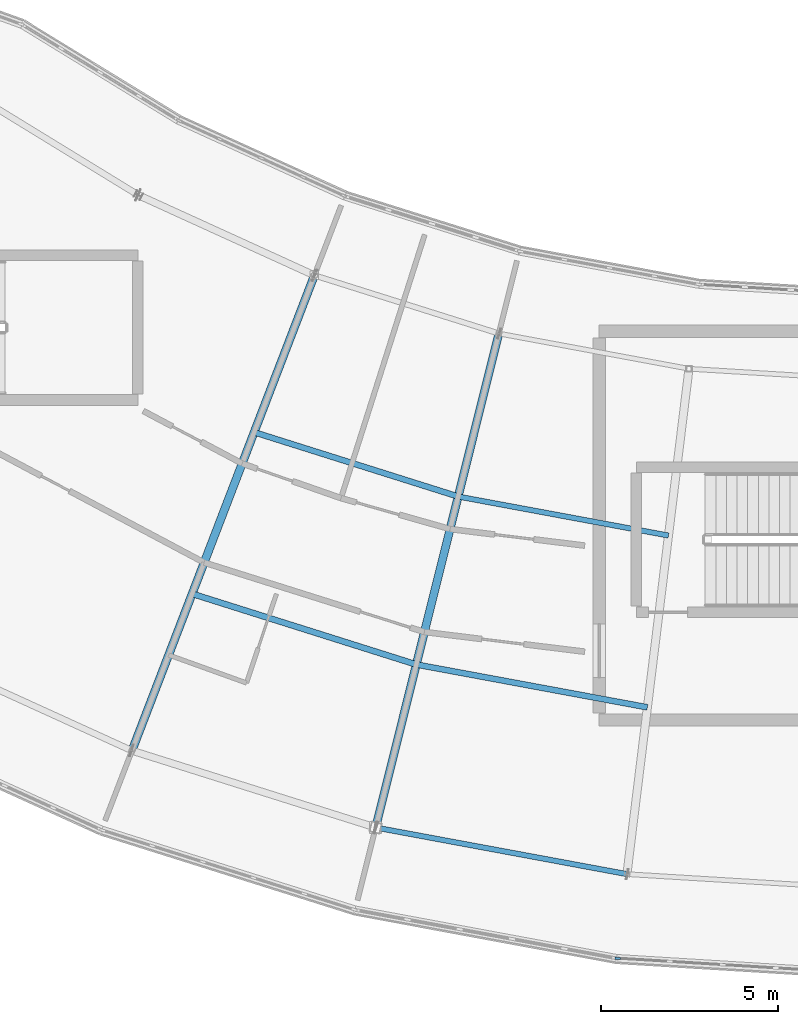
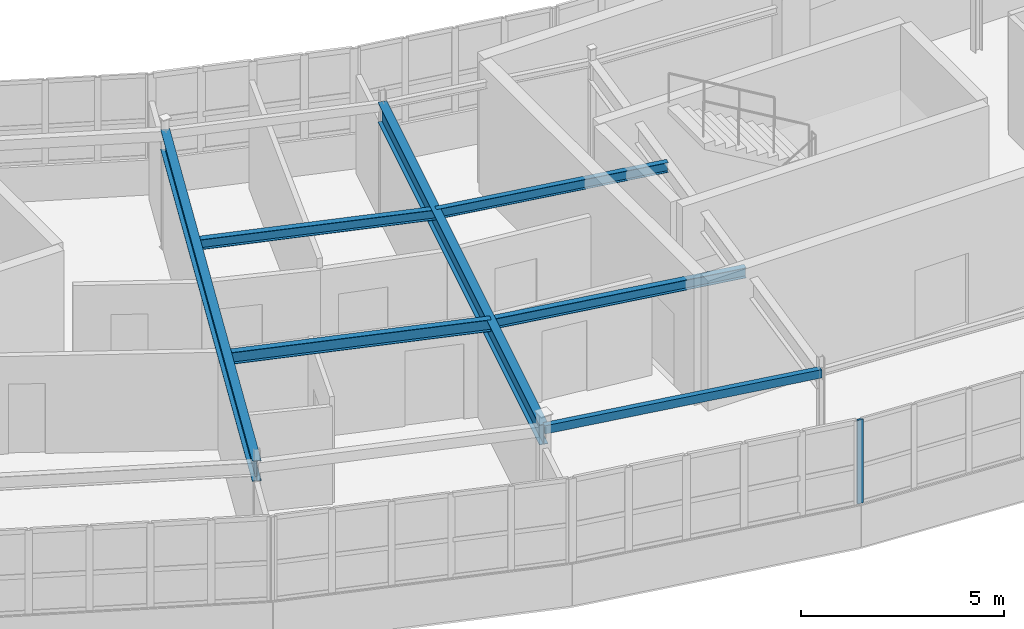
# One storey, part 15 of 65: 7 beams, 1 member, 1 element without a shape of its own.
"""IFC4 building model written with IfcOpenShell, lengths in metres."""

from ifc_helpers import new_model, si_unit, direction, frame, origin, origin_2d, place, context, subcontext, project, spatial, rectangle, hollow_rectangle, i_section, extrude, material, layer, layer_set, material_profile, profile_set, type_object, element, aggregate, save


model = new_model("IFC4")

# Units and contexts
model_context = context("Model", 3, precision=1e-05, world=origin(), true_north=direction((0.0, 1.0)))
body_context = subcontext(model_context, "Body", "Model", "MODEL_VIEW")
ifc_project = project(units=[si_unit("LENGTHUNIT", "METRE"), si_unit("AREAUNIT", "SQUARE_METRE"), si_unit("VOLUMEUNIT", "CUBIC_METRE"), si_unit("PLANEANGLEUNIT", "RADIAN"), si_unit("MASSUNIT", "GRAM", prefix="KILO")], contexts=[model_context])

# Site, building, storey
site_placement = place(None, origin())
site = spatial("IfcSite", under=ifc_project, at=site_placement, CompositionType="ELEMENT")
building_placement = place(site_placement, origin())
building = spatial("IfcBuilding", under=site, at=building_placement, Name="Tarnwether General Hospital", CompositionType="ELEMENT")
storey_placement = place(building_placement, frame((0.0, 0.0, 22.199951171875)))
storey = spatial("IfcBuildingStorey", under=building, at=storey_placement, Name="L05", CompositionType="ELEMENT", Elevation=22.199951171875)

# Beams
ifc_material_1 = material(Name="Steel Grade 350 (350 MPa)", Category="steel")
ifc_material_profile_1 = material_profile(ifc_material_1, i_section(OverallWidth=0.22900390625, OverallDepth=0.612060546875, WebThickness=0.011962890625, FlangeThickness=0.01953125, at=origin_2d()), Name="610UB125")
ifc_profile_set_1 = profile_set([ifc_material_profile_1], Name="Steel Grade 350 (350 MPa)")
beam_type_1 = type_object("IfcBeamType", Name="BM-G03", PredefinedType="BEAM", material=ifc_profile_set_1)
beam_1_placement = place(storey_placement, frame((70.784912109375, 7.73193359375, 3.254150390625), z_axis=(0.358334838026, 0.933593136145, 0.0), x_axis=(-0.933593136145, 0.358334838026, 0.0)))
element("IfcBeam", 1, at=beam_1_placement, inside=storey, type_object=beam_type_1, Name="Curved Ward SE Radial Girder BMG-L05-7078_773-7594_2118-2165", PredefinedType="BEAM", context=body_context, shape_type="SweptSolid", body=[
    extrude(i_section(OverallWidth=0.22900390625, OverallDepth=0.612060546875, WebThickness=0.011962890625, FlangeThickness=0.01953125, at=origin_2d()), origin(), (0.0, 0.0, 1.0), 14.400390625),
])
ifc_material_2 = material(Name="Steel Grade 350 (350 MPa)", Category="steel")
ifc_material_profile_2 = material_profile(ifc_material_2, i_section(OverallWidth=0.22802734375, OverallDepth=0.60693359375, WebThickness=0.01123046875, FlangeThickness=0.017333984375, at=origin_2d()), Name="610UB113")
ifc_profile_set_2 = profile_set([ifc_material_profile_2], Name="Steel Grade 350 (350 MPa)")
beam_type_2 = type_object("IfcBeamType", Name="BM-G04", PredefinedType="BEAM", material=ifc_profile_set_2)
beam_2_placement = place(storey_placement, frame((77.677978515625, 5.55810546875, 3.256591796875), z_axis=(0.241941215118, 0.970290909175, 0.0), x_axis=(-0.970290909175, 0.241941215118, 0.0)))
element("IfcBeam", 2, at=beam_2_placement, inside=storey, type_object=beam_type_2, Name="Curved Ward SE Radial Girder BMG-L05-7768_556-8116_1953-2166", PredefinedType="BEAM", context=body_context, shape_type="SweptSolid", body=[
    extrude(i_section(OverallWidth=0.22802734375, OverallDepth=0.60693359375, WebThickness=0.01123046875, FlangeThickness=0.017333984375, at=origin_2d()), origin(), (0.0, 0.0, 1.0), 14.400634765625),
])
ifc_material_3 = material(Name="Steel Grade 350 (350 MPa)", Category="steel")
ifc_material_profile_3 = material_profile(ifc_material_3, i_section(OverallWidth=0.1708984375, OverallDepth=0.35595703125, WebThickness=0.00732421875, FlangeThickness=0.011474609375, at=origin_2d()), Name="360UB50.7")
ifc_profile_set_3 = profile_set([ifc_material_profile_3], Name="Steel Grade 350 (350 MPa)")
beam_type_3 = type_object("IfcBeamType", Name="BM-J04", PredefinedType="JOIST", material=ifc_profile_set_3)
beam_3_placement = place(storey_placement, frame((72.488037109375, 12.1689453125, 3.382080078125), z_axis=(0.953671429399, -0.300850136693, 0.0), x_axis=(0.300850136693, 0.953671429399, 0.0)))
element("IfcBeam", 3, at=beam_3_placement, inside=storey, type_object=beam_type_3, Name="Curved Ward SE Chord Joist BMG-L05-7249_1217-7883_1017-2176", PredefinedType="JOIST", context=body_context, shape_type="SweptSolid", body=[
    extrude(i_section(OverallWidth=0.1708984375, OverallDepth=0.35595703125, WebThickness=0.00732421875, FlangeThickness=0.011474609375, at=origin_2d()), origin(), (0.0, 0.0, 1.0), 6.64794921875),
])
ifc_material_4 = material(Name="Steel Grade 350 (350 MPa)", Category="steel")
ifc_material_profile_4 = material_profile(ifc_material_4, i_section(OverallWidth=0.166015625, OverallDepth=0.306884765625, WebThickness=0.006591796875, FlangeThickness=0.01171875, at=origin_2d()), Name="310UB46.2")
ifc_profile_set_4 = profile_set([ifc_material_profile_4], Name="Steel Grade 350 (350 MPa)")
beam_type_4 = type_object("IfcBeamType", Name="BM-J05", PredefinedType="JOIST", material=ifc_profile_set_4)
beam_4_placement = place(storey_placement, frame((78.827880859375, 10.1689453125, 3.406494140625), z_axis=(0.983267388773, -0.18216817004, 0.0), x_axis=(0.18216817004, 0.983267388773, 0.0)))
element("IfcBeam", 4, at=beam_4_placement, inside=storey, type_object=beam_type_4, Name="Curved Ward SE Chord Joist BMG-L05-7883_1017-8536_896-2180", PredefinedType="JOIST", context=body_context, shape_type="SweptSolid", body=[
    extrude(i_section(OverallWidth=0.166015625, OverallDepth=0.306884765625, WebThickness=0.006591796875, FlangeThickness=0.01171875, at=origin_2d()), origin(), (0.0, 0.0, 1.0), 6.6474609375),
])
ifc_material_5 = material(Name="Steel Grade 350 (350 MPa)", Category="steel")
ifc_material_profile_5 = material_profile(ifc_material_5, i_section(OverallWidth=0.1650390625, OverallDepth=0.303955078125, WebThickness=0.006103515625, FlangeThickness=0.01025390625, at=origin_2d()), Name="310UB40.4")
ifc_profile_set_5 = profile_set([ifc_material_profile_5], Name="Steel Grade 350 (350 MPa)")
beam_type_5 = type_object("IfcBeamType", Name="BM-J07", PredefinedType="JOIST", material=ifc_profile_set_5)
beam_5_placement = place(storey_placement, frame((74.241943359375, 16.739013671875, 3.407958984375), z_axis=(0.953725879816, -0.300677478654, 0.0), x_axis=(0.300677478654, 0.953725879816, 0.0)))
element("IfcBeam", 5, at=beam_5_placement, inside=storey, type_object=beam_type_5, Name="Curved Ward SE Chord Joist BMG-L05-7424_1674-8001_1492-2177", PredefinedType="JOIST", context=body_context, shape_type="SweptSolid", body=[
    extrude(i_section(OverallWidth=0.1650390625, OverallDepth=0.303955078125, WebThickness=0.006103515625, FlangeThickness=0.01025390625, at=origin_2d()), origin(), (0.0, 0.0, 1.0), 6.050048828125),
])
ifc_material_6 = material(Name="Steel Grade 350 (350 MPa)", Category="steel")
ifc_material_profile_6 = material_profile(ifc_material_6, i_section(OverallWidth=0.14892578125, OverallDepth=0.298095703125, WebThickness=0.005615234375, FlangeThickness=0.008056640625, at=origin_2d()), Name="310UB32.0")
ifc_profile_set_6 = profile_set([ifc_material_profile_6], Name="Steel Grade 350 (350 MPa)")
beam_type_6 = type_object("IfcBeamType", Name="BM-J08", PredefinedType="JOIST", material=ifc_profile_set_6)
beam_6_placement = place(storey_placement, frame((80.011962890625, 14.919921875, 3.4111328125), z_axis=(0.983241575901, -0.182307442029, 0.0), x_axis=(0.182307442029, 0.983241575901, 0.0)))
element("IfcBeam", 6, at=beam_6_placement, inside=storey, type_object=beam_type_6, Name="Curved Ward SE Chord Joist BMG-L05-8001_1492-8596_1382-2181", PredefinedType="JOIST", context=body_context, shape_type="SweptSolid", body=[
    extrude(i_section(OverallWidth=0.14892578125, OverallDepth=0.298095703125, WebThickness=0.005615234375, FlangeThickness=0.008056640625, at=origin_2d()), origin(), (0.0, 0.0, 1.0), 6.05029296875),
])
ifc_material_7 = material(Name="Steel Grade C350L0 (350 MPa)", Category="steel")
ifc_material_profile_7 = material_profile(ifc_material_7, hollow_rectangle(XDim=0.14990234375, YDim=0.25, WallThickness=0.010009765625, at=origin_2d()), Name="RHS250x150x10")
ifc_profile_set_7 = profile_set([ifc_material_profile_7], Name="Steel Grade C350L0 (350 MPa)")
beam_type_7 = type_object("IfcBeamType", Name="BM-SP4", PredefinedType="SPANDREL", material=ifc_profile_set_7)
beam_7_placement = place(storey_placement, frame((77.677978515625, 5.55810546875, 3.43505859375), z_axis=(0.98325623662, -0.182228354399, 0.0), x_axis=(0.182228354399, 0.98325623662, 0.0)))
element("IfcBeam", 7, at=beam_7_placement, inside=storey, type_object=beam_type_7, Name="Curved Ward SE Outer Spandrel BMG-L05-7768_556-8478_424-2178", PredefinedType="SPANDREL", context=body_context, shape_type="SweptSolid", body=[
    extrude(hollow_rectangle(XDim=0.14990234375, YDim=0.25, WallThickness=0.010009765625, at=origin_2d()), origin(), (0.0, 0.0, 1.0), 7.22802734375),
])

# Curtain wall, member
ifc_material_8 = material(Name="Anodised aluminium", Category="aluminium")
ifc_layer = layer(ifc_material_8, 0.159912109375)
ifc_layer_set = layer_set([ifc_layer], Name="Anodised aluminium")
curtain_wall_type = type_object("IfcCurtainWallType", Name="CW-10", PredefinedType="NOTDEFINED", material=ifc_layer_set)
curtain_wall_placement = place(storey_placement, origin())
curtain_wall = element("IfcCurtainWall", 8, at=curtain_wall_placement, inside=storey, type_object=curtain_wall_type, Name="Curtain Wall CWG-L05-920_14-0222", PredefinedType="NOTDEFINED")
ifc_material_9 = material(Name="Anodised aluminium", Category="aluminium")
ifc_material_profile_8 = material_profile(ifc_material_9, rectangle(XDim=0.06005859375, YDim=0.159912109375, at=origin_2d()), Name="ALU-MUL-60x160")
ifc_profile_set_8 = profile_set([ifc_material_profile_8], Name="Anodised aluminium")
member_type = type_object("IfcMemberType", Name="CW-ML1", PredefinedType="MULLION", material=ifc_profile_set_8)
member_placement = place(storey_placement, frame((84.52294921875, 1.857177734375, 1.050048828125), z_axis=(0.0, 0.0, 1.0), x_axis=(-0.061028962567, -0.998135995608, 0.0)))
member = element("IfcMember", 9, at=member_placement, type_object=member_type, Name="CW-10 mullion 6", PredefinedType="MULLION", context=body_context, shape_type="SweptSolid", body=[
    extrude(rectangle(XDim=0.06005859375, YDim=0.159912109375, at=origin_2d()), origin(), (0.0, 0.0, 1.0), 2.510009765625),
])
aggregate(curtain_wall, [member])

save(model, "model.ifc")
